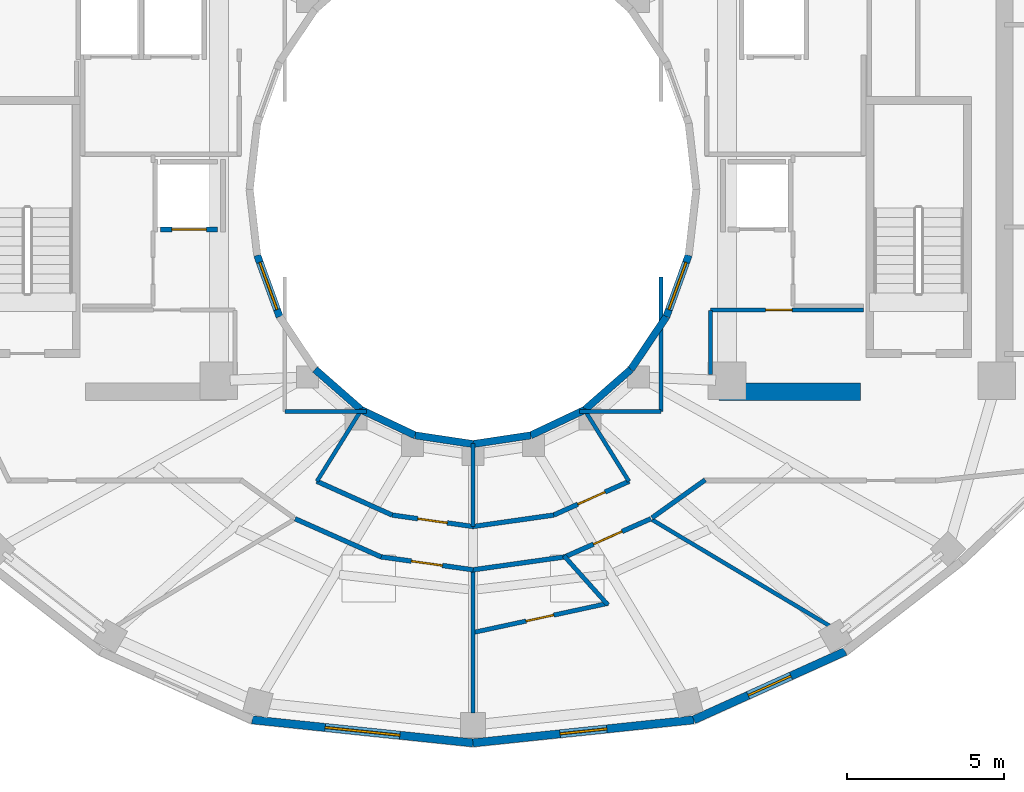
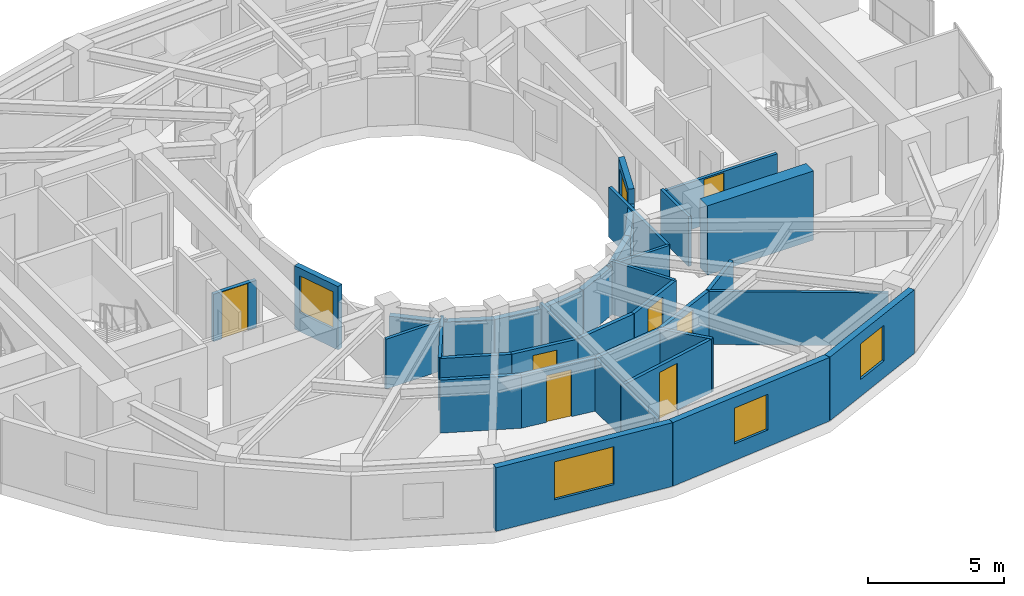
# One storey, part 6 of 12: 35 walls, 7 doors, 5 windows, 12 openings.
"""IFC4 building model written with IfcOpenShell, lengths in metres."""

from ifc_helpers import new_model, si_unit, direction, frame, frame_2d, origin, place, context, subcontext, project, spatial, rectangle, extrude, material, layer, layer_set, type_object, element, fill, save


model = new_model("IFC4")

# Units and contexts
model_context = context("Model", 3, precision=1e-05, world=origin(), true_north=direction((0.0, 1.0)))
body_context = subcontext(model_context, "Body", "Model", "MODEL_VIEW")
ifc_project = project(units=[si_unit("LENGTHUNIT", "METRE"), si_unit("AREAUNIT", "SQUARE_METRE"), si_unit("VOLUMEUNIT", "CUBIC_METRE"), si_unit("PLANEANGLEUNIT", "RADIAN"), si_unit("MASSUNIT", "GRAM", prefix="KILO")], contexts=[model_context])

# Site, building, storey
site_placement = place(None, origin())
site = spatial("IfcSite", under=ifc_project, at=site_placement, CompositionType="ELEMENT")
building_placement = place(site_placement, origin())
building = spatial("IfcBuilding", under=site, at=building_placement, Name="Solvane Sanctuary Tower", CompositionType="ELEMENT")
storey_placement = place(building_placement, frame((0.0, 0.0, 210.89990234375)))
storey = spatial("IfcBuildingStorey", under=building, at=storey_placement, Name="L64", CompositionType="ELEMENT", Elevation=210.89990234375)

# Walls
ifc_material_1 = material(Name="Concrete C50/60", Category="concrete")
ifc_layer_1 = layer(ifc_material_1, 0.550048828125, Name="Concrete C50/60")
ifc_layer_set_1 = layer_set([ifc_layer_1], Name="Concrete C50/60")
wall_type_1 = type_object("IfcWallType", Name="Wall W-CORE-550", PredefinedType="SHEAR", material=ifc_layer_set_1)
wall_1_placement = place(storey_placement, frame((39.85009765625, 16.550048828125, 0.0), z_axis=(0.0, 0.0, 1.0), x_axis=(1.0, 0.0, 0.0)))
element("IfcWall", 1, at=wall_1_placement, inside=storey, type_object=wall_type_1, Name="L64 Core Shear Wall EC-S", PredefinedType="SHEAR", context=body_context, shape_type="SweptSolid", body=[
    extrude(rectangle(XDim=4.5, YDim=0.550048828125, at=frame_2d((2.25, 0.0))), origin(), (0.0, 0.0, 1.0), 3.10009765625),
])
ifc_material_2 = material(Name="Acoustic Gypsum Partition Board")
ifc_layer_2 = layer(ifc_material_2, 0.14990234375, Name="Acoustic Gypsum Partition Board")
ifc_layer_set_2 = layer_set([ifc_layer_2], Name="Acoustic Gypsum Partition Board")
wall_type_2 = type_object("IfcWallType", Name="Wall W-CORR-150", PredefinedType="PARTITIONING", material=ifc_layer_set_2)
wall_2_placement = place(storey_placement, frame((27.01904296875, 13.694091796875, 0.0), z_axis=(0.0, 0.0, 1.0), x_axis=(0.912628408652, -0.408790151203, 0.0)))
element("IfcWall", 2, at=wall_2_placement, inside=storey, type_object=wall_type_2, Name="L64 South Light-Well Corridor Wall 1", PredefinedType="PARTITIONING", context=body_context, shape_type="SweptSolid", body=[
    extrude(rectangle(XDim=2.637939453125, YDim=0.14990234375, at=frame_2d((1.31884765625, 0.0))), origin(), (0.0, 0.0, 1.0), 2.3759765625),
])

# Wall, opening, door
wall_3_placement = place(storey_placement, frame((29.423095703125, 12.61669921875, 0.0), z_axis=(0.0, 0.0, 1.0), x_axis=(0.990078185178, -0.140517569133, 0.0)))
wall_3 = element("IfcWall", 3, at=wall_3_placement, inside=storey, type_object=wall_type_2, Name="L64 South Light-Well Corridor Wall 1", PredefinedType="PARTITIONING", context=body_context, shape_type="SweptSolid", body=[
    extrude(rectangle(XDim=2.609619140625, YDim=0.14990234375, at=frame_2d((1.3046875, 0.0))), origin(), (0.0, 0.0, 1.0), 2.3759765625),
])
opening_1_placement = place(wall_3_placement, frame((0.829833984375, 0.0, 0.0)))
opening_1 = element("IfcOpeningElement", 4, at=opening_1_placement, cuts=wall_3, Name="Opening D-L64-14", PredefinedType="OPENING", context=body_context, shape_type="SweptSolid", body=[
    extrude(rectangle(XDim=0.949951171875, YDim=2.10009765625, at=frame_2d((0.47509765625, 1.050048828125))), frame((0.0, 0.0849609375, 0.0), z_axis=(0.0, -1.0, 0.0), x_axis=(1.0, 0.0, 0.0)), (0.0, 0.0, 1.0), 0.169921875),
])
ifc_material_3 = material(Name="Engineered Tropical Hardwood", Category="wood")
door_type_1 = type_object("IfcDoorType", Name="Door D-ROOM-950", OperationType="NOTDEFINED", PredefinedType="DOOR", material=ifc_material_3)
door_1_placement = place(opening_1_placement, origin())
door_1 = element("IfcDoor", 5, at=door_1_placement, inside=storey, type_object=door_type_1, Name="L64 South Light-Well Alcove Door 1", OperationType="SINGLE_SWING_RIGHT", OverallHeight=2.10009765625, OverallWidth=0.949951171875, PredefinedType="DOOR", context=body_context, shape_type="SweptSolid", body=[
    extrude(rectangle(XDim=0.949951171875, YDim=2.10009765625, at=frame_2d((0.47509765625, 1.050048828125))), frame((0.0, 0.02490234375, 0.0), z_axis=(0.0, -1.0, 0.0), x_axis=(1.0, 0.0, 0.0)), (0.0, 0.0, 1.0), 0.050048828125),
])
fill(opening_1, door_1)

# Wall
wall_4_placement = place(storey_placement, frame((31.9931640625, 12.25, 0.0), z_axis=(0.0, 0.0, 1.0), x_axis=(0.990078185178, 0.140517569133, 0.0)))
element("IfcWall", 6, at=wall_4_placement, inside=storey, type_object=wall_type_2, Name="L64 South Light-Well Corridor Wall 2", PredefinedType="PARTITIONING", context=body_context, shape_type="SweptSolid", body=[
    extrude(rectangle(XDim=2.609619140625, YDim=0.14990234375, at=frame_2d((1.3046875, 0.0))), origin(), (0.0, 0.0, 1.0), 2.3759765625),
])

# Wall, opening, door
wall_5_placement = place(storey_placement, frame((34.573486328125, 12.61572265625, 0.0), z_axis=(0.0, 0.0, 1.0), x_axis=(0.912628408652, 0.408790151203, 0.0)))
wall_5 = element("IfcWall", 7, at=wall_5_placement, inside=storey, type_object=wall_type_2, Name="L64 South Light-Well Corridor Wall 2", PredefinedType="PARTITIONING", context=body_context, shape_type="SweptSolid", body=[
    extrude(rectangle(XDim=2.637939453125, YDim=0.14990234375, at=frame_2d((1.31884765625, 0.0))), origin(), (0.0, 0.0, 1.0), 2.3759765625),
])
opening_2_placement = place(wall_5_placement, frame((0.843994140625, 0.0, 0.0)))
opening_2 = element("IfcOpeningElement", 8, at=opening_2_placement, cuts=wall_5, Name="Opening D-L64-15", PredefinedType="OPENING", context=body_context, shape_type="SweptSolid", body=[
    extrude(rectangle(XDim=0.949951171875, YDim=2.10009765625, at=frame_2d((0.47509765625, 1.050048828125))), frame((0.0, 0.0849609375, 0.0), z_axis=(0.0, -1.0, 0.0), x_axis=(1.0, 0.0, 0.0)), (0.0, 0.0, 1.0), 0.169921875),
])
door_2_placement = place(opening_2_placement, origin())
door_2 = element("IfcDoor", 9, at=door_2_placement, inside=storey, type_object=door_type_1, Name="L64 South Light-Well Alcove Door 2", OperationType="SINGLE_SWING_LEFT", OverallHeight=2.10009765625, OverallWidth=0.949951171875, PredefinedType="DOOR", context=body_context, shape_type="SweptSolid", body=[
    extrude(rectangle(XDim=0.949951171875, YDim=2.10009765625, at=frame_2d((0.47509765625, 1.050048828125))), frame((0.0, 0.02490234375, 0.0), z_axis=(0.0, -1.0, 0.0), x_axis=(1.0, 0.0, 0.0)), (0.0, 0.0, 1.0), 0.050048828125),
])
fill(opening_2, door_2)

# Walls
wall_6_placement = place(storey_placement, frame((37.709716796875, 12.527099609375, 0.0), z_axis=(0.0, 0.0, 1.0), x_axis=(0.813780999276, 0.581171648669, 0.0)))
element("IfcWall", 10, at=wall_6_placement, inside=storey, type_object=wall_type_2, Name="L64 SE Corner Throat Wall", PredefinedType="PARTITIONING", context=body_context, shape_type="SweptSolid", body=[
    extrude(rectangle(XDim=2.082275390625, YDim=0.14990234375, at=frame_2d((1.041015625, 0.0))), origin(), (0.0, 0.0, 1.0), 2.3759765625),
])
wall_7_placement = place(storey_placement, frame((26.328125, 12.499267578125, 0.0), z_axis=(0.0, 0.0, 1.0), x_axis=(0.914139569865, -0.405399613724, 0.0)))
element("IfcWall", 11, at=wall_7_placement, inside=storey, type_object=wall_type_2, Name="L64 Unit Corridor Wall S1", PredefinedType="PARTITIONING", context=body_context, shape_type="SweptSolid", body=[
    extrude(rectangle(XDim=3.005126953125, YDim=0.14990234375, at=frame_2d((1.50244140625, 0.0))), origin(), (0.0, 0.0, 1.0), 2.3759765625),
])

# Wall, opening, door
wall_8_placement = place(storey_placement, frame((29.059814453125, 11.285400390625, 0.0), z_axis=(0.0, 0.0, 1.0), x_axis=(0.99022315503, -0.139492305317, 0.0)))
wall_8 = element("IfcWall", 12, at=wall_8_placement, inside=storey, type_object=wall_type_2, Name="L64 Unit Corridor Wall S1", PredefinedType="PARTITIONING", context=body_context, shape_type="SweptSolid", body=[
    extrude(rectangle(XDim=2.97705078125, YDim=0.14990234375, at=frame_2d((1.488525390625, 0.0))), origin(), (0.0, 0.0, 1.0), 2.3759765625),
])
opening_3_placement = place(wall_8_placement, frame((0.988525390625, 0.0, 0.0)))
opening_3 = element("IfcOpeningElement", 13, at=opening_3_placement, cuts=wall_8, Name="Opening D-L64-25", PredefinedType="OPENING", context=body_context, shape_type="SweptSolid", body=[
    extrude(rectangle(XDim=1.0, YDim=2.10009765625, at=frame_2d((0.5, 1.050048828125))), frame((0.0, 0.0849609375, 0.0), z_axis=(0.0, -1.0, 0.0), x_axis=(1.0, 0.0, 0.0)), (0.0, 0.0, 1.0), 0.169921875),
])
door_type_2 = type_object("IfcDoorType", Name="Door D-UNIT", OperationType="NOTDEFINED", PredefinedType="DOOR", material=ifc_material_3)
door_3_placement = place(opening_3_placement, origin())
door_3 = element("IfcDoor", 14, at=door_3_placement, inside=storey, type_object=door_type_2, Name="L64 Unit Entrance Door S1", OperationType="SINGLE_SWING_LEFT", OverallHeight=2.10009765625, OverallWidth=1.0, PredefinedType="DOOR", context=body_context, shape_type="SweptSolid", body=[
    extrude(rectangle(XDim=1.0, YDim=2.10009765625, at=frame_2d((0.5, 1.050048828125))), frame((0.0, 0.02490234375, 0.0), z_axis=(0.0, -1.0, 0.0), x_axis=(1.0, 0.0, 0.0)), (0.0, 0.0, 1.0), 0.050048828125),
])
fill(opening_3, door_3)

# Wall
wall_9_placement = place(storey_placement, frame((31.950439453125, 10.863037109375, 0.0), z_axis=(0.0, 0.0, 1.0), x_axis=(0.990214091671, 0.13955662885, 0.0)))
element("IfcWall", 15, at=wall_9_placement, inside=storey, type_object=wall_type_2, Name="L64 En-suite Inner Wall S2", PredefinedType="PARTITIONING", context=body_context, shape_type="SweptSolid", body=[
    extrude(rectangle(XDim=3.0615234375, YDim=0.14990234375, at=frame_2d((1.53076171875, 0.0))), origin(), (0.0, 0.0, 1.0), 2.3759765625),
])

# Wall, opening, door
wall_10_placement = place(storey_placement, frame((34.9248046875, 11.281005859375, 0.0), z_axis=(0.0, 0.0, 1.0), x_axis=(0.914139569865, 0.405399613724, 0.0)))
wall_10 = element("IfcWall", 16, at=wall_10_placement, inside=storey, type_object=wall_type_2, Name="L64 Unit Corridor Wall S2", PredefinedType="PARTITIONING", context=body_context, shape_type="SweptSolid", body=[
    extrude(rectangle(XDim=3.005126953125, YDim=0.14990234375, at=frame_2d((1.50244140625, 0.0))), origin(), (0.0, 0.0, 1.0), 2.3759765625),
])
opening_4_placement = place(wall_10_placement, frame((1.00244140625, 0.0, 0.0)))
opening_4 = element("IfcOpeningElement", 17, at=opening_4_placement, cuts=wall_10, Name="Opening D-L64-27", PredefinedType="OPENING", context=body_context, shape_type="SweptSolid", body=[
    extrude(rectangle(XDim=1.0, YDim=2.10009765625, at=frame_2d((0.5, 1.050048828125))), frame((0.0, 0.0849609375, 0.0), z_axis=(0.0, -1.0, 0.0), x_axis=(1.0, 0.0, 0.0)), (0.0, 0.0, 1.0), 0.169921875),
])
door_4_placement = place(opening_4_placement, origin())
door_4 = element("IfcDoor", 18, at=door_4_placement, inside=storey, type_object=door_type_2, Name="L64 Unit Entrance Door S2", OperationType="SINGLE_SWING_LEFT", OverallHeight=2.10009765625, OverallWidth=1.0, PredefinedType="DOOR", context=body_context, shape_type="SweptSolid", body=[
    extrude(rectangle(XDim=1.0, YDim=2.10009765625, at=frame_2d((0.5, 1.050048828125))), frame((0.0, 0.02490234375, 0.0), z_axis=(0.0, -1.0, 0.0), x_axis=(1.0, 0.0, 0.0)), (0.0, 0.0, 1.0), 0.050048828125),
])
fill(opening_4, door_4)

# Wall, opening, window
ifc_material_4 = material(Name="Precast concrete C40/50", Category="concrete")
ifc_layer_3 = layer(ifc_material_4, 0.260009765625, Name="Precast concrete C40/50")
ifc_layer_set_3 = layer_set([ifc_layer_3], Name="Precast concrete C40/50")
wall_type_3 = type_object("IfcWallType", Name="Wall W-EXT-250", PredefinedType="STANDARD", material=ifc_layer_set_3)
wall_11_placement = place(storey_placement, frame((24.95703125, 6.088134765625, 0.0), z_axis=(0.0, 0.0, 1.0), x_axis=(0.994582822721, -0.103947144014, 0.0)))
wall_11 = element("IfcWall", 19, at=wall_11_placement, inside=storey, type_object=wall_type_3, Name="L64 Ceramic-Printed Facade Wall 17", PredefinedType="STANDARD", context=body_context, shape_type="SweptSolid", body=[
    extrude(rectangle(XDim=7.081298828125, YDim=0.260009765625, at=frame_2d((3.54052734375, 0.0))), origin(), (0.0, 0.0, 1.0), 2.85009765625),
])
opening_5_placement = place(wall_11_placement, frame((2.3408203125, 0.0, 0.75)))
opening_5 = element("IfcOpeningElement", 20, at=opening_5_placement, cuts=wall_11, Name="Opening WN-RIB-2400", PredefinedType="OPENING", context=body_context, shape_type="SweptSolid", body=[
    extrude(rectangle(XDim=2.39990234375, YDim=1.699951171875, at=frame_2d((1.199951171875, 0.85009765625))), frame((0.0, 0.139892578125, 0.0), z_axis=(0.0, -1.0, 0.0), x_axis=(1.0, 0.0, 0.0)), (0.0, 0.0, 1.0), 0.280029296875),
])
ifc_material_5 = material(Name="Dark Ceramic-Fritted Low-E Glass", Category="glass")
window_type_1 = type_object("IfcWindowType", Name="Window WN-RIB-2400", PartitioningType="SINGLE_PANEL", PredefinedType="WINDOW", material=ifc_material_5)
window_1_placement = place(opening_5_placement, origin())
window_1 = element("IfcWindow", 21, at=window_1_placement, inside=storey, type_object=window_type_1, Name="L64 Operable Facade Window 17", OverallHeight=1.699951171875, OverallWidth=2.39990234375, PartitioningType="SINGLE_PANEL", PredefinedType="WINDOW", context=body_context, shape_type="SweptSolid", body=[
    extrude(rectangle(XDim=2.39990234375, YDim=1.699951171875, at=frame_2d((1.199951171875, 0.85009765625))), frame((0.0, 0.030029296875, 0.0), z_axis=(0.0, -1.0, 0.0), x_axis=(1.0, 0.0, 0.0)), (0.0, 0.0, 1.0), 0.06005859375),
])
fill(opening_5, window_1)

wall_12_placement = place(storey_placement, frame((32.0, 5.35205078125, 0.0), z_axis=(0.0, 0.0, 1.0), x_axis=(0.994582822721, 0.103947144014, 0.0)))
wall_12 = element("IfcWall", 22, at=wall_12_placement, inside=storey, type_object=wall_type_3, Name="L64 Ceramic-Printed Facade Wall 18", PredefinedType="STANDARD", context=body_context, shape_type="SweptSolid", body=[
    extrude(rectangle(XDim=7.081298828125, YDim=0.260009765625, at=frame_2d((3.54052734375, 0.0))), origin(), (0.0, 0.0, 1.0), 2.85009765625),
])
opening_6_placement = place(wall_12_placement, frame((2.790771484375, 0.0, 0.75)))
opening_6 = element("IfcOpeningElement", 23, at=opening_6_placement, cuts=wall_12, Name="Opening WN-OPER-1500", PredefinedType="OPENING", context=body_context, shape_type="SweptSolid", body=[
    extrude(rectangle(XDim=1.5, YDim=1.60009765625, at=frame_2d((0.75, 0.800048828125))), frame((0.0, 0.139892578125, 0.0), z_axis=(0.0, -1.0, 0.0), x_axis=(1.0, 0.0, 0.0)), (0.0, 0.0, 1.0), 0.280029296875),
])
window_type_2 = type_object("IfcWindowType", Name="Window WN-OPER-1500", PartitioningType="SINGLE_PANEL", PredefinedType="WINDOW", material=ifc_material_5)
window_2_placement = place(opening_6_placement, origin())
window_2 = element("IfcWindow", 24, at=window_2_placement, inside=storey, type_object=window_type_2, Name="L64 Operable Facade Window 18", OverallHeight=1.60009765625, OverallWidth=1.5, PartitioningType="SINGLE_PANEL", PredefinedType="WINDOW", context=body_context, shape_type="SweptSolid", body=[
    extrude(rectangle(XDim=1.5, YDim=1.60009765625, at=frame_2d((0.75, 0.800048828125))), frame((0.0, 0.030029296875, 0.0), z_axis=(0.0, -1.0, 0.0), x_axis=(1.0, 0.0, 0.0)), (0.0, 0.0, 1.0), 0.06005859375),
])
fill(opening_6, window_2)

wall_13_placement = place(storey_placement, frame((39.04296875, 6.088134765625, 0.0), z_axis=(0.0, 0.0, 1.0), x_axis=(0.911427484938, 0.411460738952, 0.0)))
wall_13 = element("IfcWall", 25, at=wall_13_placement, inside=storey, type_object=wall_type_3, Name="L64 Ceramic-Printed Facade Wall 19", PredefinedType="STANDARD", context=body_context, shape_type="SweptSolid", body=[
    extrude(rectangle(XDim=5.296142578125, YDim=0.260009765625, at=frame_2d((2.64794921875, 0.0))), origin(), (0.0, 0.0, 1.0), 2.85009765625),
])
opening_7_placement = place(wall_13_placement, frame((1.898193359375, 0.0, 0.75)))
opening_7 = element("IfcOpeningElement", 26, at=opening_7_placement, cuts=wall_13, Name="Opening WN-OPER-1500", PredefinedType="OPENING", context=body_context, shape_type="SweptSolid", body=[
    extrude(rectangle(XDim=1.5, YDim=1.60009765625, at=frame_2d((0.75, 0.800048828125))), frame((0.0, 0.139892578125, 0.0), z_axis=(0.0, -1.0, 0.0), x_axis=(1.0, 0.0, 0.0)), (0.0, 0.0, 1.0), 0.280029296875),
])
window_3_placement = place(opening_7_placement, origin())
window_3 = element("IfcWindow", 27, at=window_3_placement, inside=storey, type_object=window_type_2, Name="L64 Operable Facade Window 19", OverallHeight=1.60009765625, OverallWidth=1.5, PartitioningType="SINGLE_PANEL", PredefinedType="WINDOW", context=body_context, shape_type="SweptSolid", body=[
    extrude(rectangle(XDim=1.5, YDim=1.60009765625, at=frame_2d((0.75, 0.800048828125))), frame((0.0, 0.030029296875, 0.0), z_axis=(0.0, -1.0, 0.0), x_axis=(1.0, 0.0, 0.0)), (0.0, 0.0, 1.0), 0.06005859375),
])
fill(opening_7, window_3)

ifc_layer_4 = layer(ifc_material_4, 0.22998046875, Name="Precast concrete C40/50")
ifc_layer_set_4 = layer_set([ifc_layer_4], Name="Precast concrete C40/50")
wall_type_4 = type_object("IfcWallType", Name="Wall W-EXT-SP220", PredefinedType="STANDARD", material=ifc_layer_set_4)
wall_14_placement = place(storey_placement, frame((25.12255859375, 20.8984375, 0.0), z_axis=(0.0, 0.0, 1.0), x_axis=(0.341423187295, -0.93990968033, 0.0)))
wall_14 = element("IfcWall", 28, at=wall_14_placement, inside=storey, type_object=wall_type_4, Name="L64 Central Light-Well Wall 13", PredefinedType="STANDARD", context=body_context, shape_type="SweptSolid", body=[
    extrude(rectangle(XDim=2.083740234375, YDim=0.22998046875, at=frame_2d((1.0419921875, 0.0))), origin(), (0.0, 0.0, 1.0), 2.840087890625),
])
opening_8_placement = place(wall_14_placement, frame((0.24169921875, 0.0, 0.85009765625)))
opening_8 = element("IfcOpeningElement", 29, at=opening_8_placement, cuts=wall_14, Name="Opening WN-WELL-1600", PredefinedType="OPENING", context=body_context, shape_type="SweptSolid", body=[
    extrude(rectangle(XDim=1.60009765625, YDim=1.64990234375, at=frame_2d((0.800048828125, 0.824951171875))), frame((0.0, 0.125, 0.0), z_axis=(0.0, -1.0, 0.0), x_axis=(1.0, 0.0, 0.0)), (0.0, 0.0, 1.0), 0.25),
])
ifc_material_6 = material(Name="Clear Laminated Light-Well Glass", Category="glass")
window_type_3 = type_object("IfcWindowType", Name="Window WN-WELL-1600", PartitioningType="SINGLE_PANEL", PredefinedType="WINDOW", material=ifc_material_6)
window_4_placement = place(opening_8_placement, origin())
window_4 = element("IfcWindow", 30, at=window_4_placement, inside=storey, type_object=window_type_3, Name="L64 Light-Well Daylight Window 13", OverallHeight=1.64990234375, OverallWidth=1.60009765625, PartitioningType="SINGLE_PANEL", PredefinedType="WINDOW", context=body_context, shape_type="SweptSolid", body=[
    extrude(rectangle(XDim=1.60009765625, YDim=1.64990234375, at=frame_2d((0.800048828125, 0.824951171875))), frame((0.0, 0.030029296875, 0.0), z_axis=(0.0, -1.0, 0.0), x_axis=(1.0, 0.0, 0.0)), (0.0, 0.0, 1.0), 0.06005859375),
])
fill(opening_8, window_4)

# Walls
wall_15_placement = place(storey_placement, frame((26.96533203125, 17.25830078125, 0.0), z_axis=(0.0, 0.0, 1.0), x_axis=(0.752576694707, -0.658504607869, 0.0)))
element("IfcWall", 31, at=wall_15_placement, inside=storey, type_object=wall_type_4, Name="L64 Central Light-Well Wall 15", PredefinedType="STANDARD", context=body_context, shape_type="SweptSolid", body=[
    extrude(rectangle(XDim=1.95947265625, YDim=0.22998046875, at=frame_2d((0.979736328125, 0.0))), origin(), (0.0, 0.0, 1.0), 2.16015625),
])
wall_16_placement = place(storey_placement, frame((28.43994140625, 15.968017578125, 0.0), z_axis=(0.0, 0.0, 1.0), x_axis=(0.904179699603, -0.427152280606, 0.0)))
element("IfcWall", 32, at=wall_16_placement, inside=storey, type_object=wall_type_4, Name="L64 Central Light-Well Wall 16", PredefinedType="STANDARD", context=body_context, shape_type="SweptSolid", body=[
    extrude(rectangle(XDim=1.899169921875, YDim=0.22998046875, at=frame_2d((0.94970703125, 0.0))), origin(), (0.0, 0.0, 1.0), 2.16015625),
])
for number, where, z_axis, x_axis, name in (
    (33, (30.1572265625, 15.15673828125, 0.0), (0.0, 0.0, 1.0), (0.988901730308, -0.148571086668, 0.0), "L64 Central Light-Well Wall 17"),
    (34, (32.0, 14.8798828125, 0.0), (0.0, 0.0, 1.0), (0.988901730308, 0.148571086668, 0.0), "L64 Central Light-Well Wall 18"),
):
    element("IfcWall", number, at=place(storey_placement, frame(where, z_axis=z_axis, x_axis=x_axis)), inside=storey, type_object=wall_type_4, Name=name, PredefinedType="STANDARD", context=body_context, shape_type="SweptSolid", body=[
        extrude(rectangle(XDim=1.863525390625, YDim=0.22998046875, at=frame_2d((0.931640625, 0.0))), origin(), (0.0, 0.0, 1.0), 2.16015625),
    ])
wall_17_placement = place(storey_placement, frame((33.8427734375, 15.15673828125, 0.0), z_axis=(0.0, 0.0, 1.0), x_axis=(0.904179699603, 0.427152280606, 0.0)))
element("IfcWall", 35, at=wall_17_placement, inside=storey, type_object=wall_type_4, Name="L64 Central Light-Well Wall 19", PredefinedType="STANDARD", context=body_context, shape_type="SweptSolid", body=[
    extrude(rectangle(XDim=1.899169921875, YDim=0.22998046875, at=frame_2d((0.94970703125, 0.0))), origin(), (0.0, 0.0, 1.0), 2.16015625),
])
wall_18_placement = place(storey_placement, frame((35.56005859375, 15.968017578125, 0.0), z_axis=(0.0, 0.0, 1.0), x_axis=(0.752576694707, 0.658504607869, 0.0)))
element("IfcWall", 36, at=wall_18_placement, inside=storey, type_object=wall_type_4, Name="L64 Central Light-Well Wall 20", PredefinedType="STANDARD", context=body_context, shape_type="SweptSolid", body=[
    extrude(rectangle(XDim=1.95947265625, YDim=0.22998046875, at=frame_2d((0.979736328125, 0.0))), origin(), (0.0, 0.0, 1.0), 2.16015625),
])
wall_19_placement = place(storey_placement, frame((37.03466796875, 17.25830078125, 0.0), z_axis=(0.0, 0.0, 1.0), x_axis=(0.558197800898, 0.829707909492, 0.0)))
element("IfcWall", 37, at=wall_19_placement, inside=storey, type_object=wall_type_4, Name="L64 Central Light-Well Wall 21", PredefinedType="STANDARD", context=body_context, shape_type="SweptSolid", body=[
    extrude(rectangle(XDim=2.02685546875, YDim=0.22998046875, at=frame_2d((1.013427734375, 0.0))), origin(), (0.0, 0.0, 1.0), 2.16015625),
])

# Wall, opening, window
wall_20_placement = place(storey_placement, frame((38.166015625, 18.93994140625, 0.0), z_axis=(0.0, 0.0, 1.0), x_axis=(0.341423187295, 0.93990968033, 0.0)))
wall_20 = element("IfcWall", 38, at=wall_20_placement, inside=storey, type_object=wall_type_4, Name="L64 Central Light-Well Wall 22", PredefinedType="STANDARD", context=body_context, shape_type="SweptSolid", body=[
    extrude(rectangle(XDim=2.083740234375, YDim=0.22998046875, at=frame_2d((1.0419921875, 0.0))), origin(), (0.0, 0.0, 1.0), 2.840087890625),
])
opening_9_placement = place(wall_20_placement, frame((0.24169921875, 0.0, 0.85009765625)))
opening_9 = element("IfcOpeningElement", 39, at=opening_9_placement, cuts=wall_20, Name="Opening WN-WELL-1600", PredefinedType="OPENING", context=body_context, shape_type="SweptSolid", body=[
    extrude(rectangle(XDim=1.60009765625, YDim=1.64990234375, at=frame_2d((0.800048828125, 0.824951171875))), frame((0.0, 0.125, 0.0), z_axis=(0.0, -1.0, 0.0), x_axis=(1.0, 0.0, 0.0)), (0.0, 0.0, 1.0), 0.25),
])
window_5_placement = place(opening_9_placement, origin())
window_5 = element("IfcWindow", 40, at=window_5_placement, inside=storey, type_object=window_type_3, Name="L64 Light-Well Daylight Window 22", OverallHeight=1.64990234375, OverallWidth=1.60009765625, PartitioningType="SINGLE_PANEL", PredefinedType="WINDOW", context=body_context, shape_type="SweptSolid", body=[
    extrude(rectangle(XDim=1.60009765625, YDim=1.64990234375, at=frame_2d((0.800048828125, 0.824951171875))), frame((0.0, 0.030029296875, 0.0), z_axis=(0.0, -1.0, 0.0), x_axis=(1.0, 0.0, 0.0)), (0.0, 0.0, 1.0), 0.06005859375),
])
fill(opening_9, window_5)

# Wall, opening, door
ifc_layer_5 = layer(ifc_material_2, 0.125, Name="Acoustic Gypsum Partition Board")
ifc_layer_set_5 = layer_set([ifc_layer_5], Name="Acoustic Gypsum Partition Board")
wall_type_5 = type_object("IfcWallType", Name="Wall W-PART-125", PredefinedType="PARTITIONING", material=ifc_layer_set_5)
wall_21_placement = place(storey_placement, frame((39.580078125, 19.159912109375, 0.0), z_axis=(0.0, 0.0, 1.0), x_axis=(1.0, 0.0, 0.0)))
wall_21 = element("IfcWall", 41, at=wall_21_placement, inside=storey, type_object=wall_type_5, Name="L64 Reclaimed Room Partition PLE", PredefinedType="PARTITIONING", context=body_context, shape_type="SweptSolid", body=[
    extrude(rectangle(XDim=4.869873046875, YDim=0.125, at=frame_2d((2.43505859375, 0.0))), origin(), (0.0, 0.0, 1.0), 2.1201171875),
])
opening_10_placement = place(wall_21_placement, frame((1.748291015625, 0.0, 0.0)))
opening_10 = element("IfcOpeningElement", 42, at=opening_10_placement, cuts=wall_21, Name="Opening D-L64-07", PredefinedType="OPENING", context=body_context, shape_type="SweptSolid", body=[
    extrude(rectangle(XDim=0.85009765625, YDim=2.050048828125, at=frame_2d((0.425048828125, 1.02490234375))), frame((0.0, 0.072509765625, 0.0), z_axis=(0.0, -1.0, 0.0), x_axis=(1.0, 0.0, 0.0)), (0.0, 0.0, 1.0), 0.14501953125),
])
ifc_material_7 = material(Name="Architectural Stainless Steel 316", Category="steel")
door_type_3 = type_object("IfcDoorType", Name="Door D-RISER", OperationType="NOTDEFINED", PredefinedType="DOOR", material=ifc_material_7)
door_5_placement = place(opening_10_placement, origin())
door_5 = element("IfcDoor", 43, at=door_5_placement, inside=storey, type_object=door_type_3, Name="L64 Reclaimed Room Door PLE-1", OperationType="SINGLE_SWING_LEFT", OverallHeight=2.050048828125, OverallWidth=0.85009765625, PredefinedType="DOOR", context=body_context, shape_type="SweptSolid", body=[
    extrude(rectangle(XDim=0.85009765625, YDim=2.050048828125, at=frame_2d((0.425048828125, 1.02490234375))), frame((0.0, 0.02490234375, 0.0), z_axis=(0.0, -1.0, 0.0), x_axis=(1.0, 0.0, 0.0)), (0.0, 0.0, 1.0), 0.050048828125),
])
fill(opening_10, door_5)

# Walls
wall_22_placement = place(storey_placement, frame((39.580078125, 17.10009765625, 0.0), z_axis=(0.0, 0.0, 1.0), x_axis=(0.0, 1.0, 0.0)))
element("IfcWall", 44, at=wall_22_placement, inside=storey, type_object=wall_type_5, Name="L64 Reclaimed Room Closer Wall PLE-1", PredefinedType="PARTITIONING", context=body_context, shape_type="SweptSolid", body=[
    extrude(rectangle(XDim=2.039794921875, YDim=0.125, at=frame_2d((1.02001953125, 0.0))), origin(), (0.0, 0.0, 1.0), 2.232177734375),
])
wall_23_placement = place(storey_placement, frame((28.449951171875, 15.985107421875, 0.0), z_axis=(0.0, 0.0, 1.0), x_axis=(-0.527527080983, -0.849538215049, 0.0)))
element("IfcWall", 45, at=wall_23_placement, inside=storey, type_object=wall_type_5, Name="L64 South Light-Well Radial Wall 240", PredefinedType="PARTITIONING", context=body_context, shape_type="SweptSolid", body=[
    extrude(rectangle(XDim=2.701416015625, YDim=0.125, at=frame_2d((1.3505859375, 0.0))), origin(), (0.0, 0.0, 1.0), 2.3759765625),
])
wall_24_placement = place(storey_placement, frame((32.0, 14.89990234375, 0.0), z_axis=(0.0, 0.0, 1.0), x_axis=(0.0, -1.0, 0.0)))
element("IfcWall", 46, at=wall_24_placement, inside=storey, type_object=wall_type_5, Name="L64 South Light-Well Radial Wall 270", PredefinedType="PARTITIONING", context=body_context, shape_type="SweptSolid", body=[
    extrude(rectangle(XDim=2.64990234375, YDim=0.125, at=frame_2d((1.324951171875, 0.0))), origin(), (0.0, 0.0, 1.0), 2.3759765625),
])
wall_25_placement = place(storey_placement, frame((35.550048828125, 15.985107421875, 0.0), z_axis=(0.0, 0.0, 1.0), x_axis=(0.527527080983, -0.849538215049, 0.0)))
element("IfcWall", 47, at=wall_25_placement, inside=storey, type_object=wall_type_5, Name="L64 South Light-Well Radial Wall 300", PredefinedType="PARTITIONING", context=body_context, shape_type="SweptSolid", body=[
    extrude(rectangle(XDim=2.701416015625, YDim=0.125, at=frame_2d((1.3505859375, 0.0))), origin(), (0.0, 0.0, 1.0), 2.3759765625),
])
wall_26_placement = place(storey_placement, frame((26.0, 15.919921875, 0.0), z_axis=(0.0, 0.0, 1.0), x_axis=(1.0, 0.0, 0.0)))
element("IfcWall", 48, at=wall_26_placement, inside=storey, type_object=wall_type_5, Name="L64 Bridge Alcove Wall 6", PredefinedType="PARTITIONING", context=body_context, shape_type="SweptSolid", body=[
    extrude(rectangle(XDim=2.60009765625, YDim=0.125, at=frame_2d((1.300048828125, 0.0))), origin(), (0.0, 0.0, 1.0), 2.232177734375),
])
wall_27_placement = place(storey_placement, frame((38.0, 15.919921875, 0.0), z_axis=(0.0, 0.0, 1.0), x_axis=(0.0, 1.0, 0.0)))
element("IfcWall", 49, at=wall_27_placement, inside=storey, type_object=wall_type_5, Name="L64 Bridge Alcove Wall 7", PredefinedType="PARTITIONING", context=body_context, shape_type="SweptSolid", body=[
    extrude(rectangle(XDim=4.280029296875, YDim=0.125, at=frame_2d((2.14013671875, 0.0))), origin(), (0.0, 0.0, 1.0), 2.232177734375),
])
wall_28_placement = place(storey_placement, frame((35.39990234375, 15.919921875, 0.0), z_axis=(0.0, 0.0, 1.0), x_axis=(1.0, 0.0, 0.0)))
element("IfcWall", 50, at=wall_28_placement, inside=storey, type_object=wall_type_5, Name="L64 Bridge Alcove Wall 8", PredefinedType="PARTITIONING", context=body_context, shape_type="SweptSolid", body=[
    extrude(rectangle(XDim=2.60009765625, YDim=0.125, at=frame_2d((1.300048828125, 0.0))), origin(), (0.0, 0.0, 1.0), 2.232177734375),
])
wall_29_placement = place(storey_placement, frame((32.0, 10.81494140625, 0.0), z_axis=(0.0, 0.0, 1.0), x_axis=(0.0, -1.0, 0.0)))
element("IfcWall", 51, at=wall_29_placement, inside=storey, type_object=wall_type_5, Name="L64 Radial Compartment Wall 270", PredefinedType="PARTITIONING", context=body_context, shape_type="SweptSolid", body=[
    extrude(rectangle(XDim=4.514892578125, YDim=0.125, at=frame_2d((2.25732421875, 0.0))), origin(), (0.0, 0.0, 1.0), 2.3759765625),
])
wall_30_placement = place(storey_placement, frame((37.712158203125, 12.466796875, 0.0), z_axis=(0.0, 0.0, 1.0), x_axis=(0.858332411245, -0.513094018487, 0.0)))
element("IfcWall", 52, at=wall_30_placement, inside=storey, type_object=wall_type_5, Name="L64 Radial Compartment Wall 300", PredefinedType="PARTITIONING", context=body_context, shape_type="SweptSolid", body=[
    extrude(rectangle(XDim=6.5859375, YDim=0.125, at=frame_2d((3.29296875, 0.0))), origin(), (0.0, 0.0, 1.0), 2.3759765625),
])

# Wall, opening, door
ifc_layer_6 = layer(ifc_material_1, 0.14990234375, Name="Concrete C50/60")
ifc_layer_set_6 = layer_set([ifc_layer_6], Name="Concrete C50/60")
wall_type_6 = type_object("IfcWallType", Name="Wall W-SHAFT-150", PredefinedType="SOLIDWALL", material=ifc_layer_set_6)
wall_31_placement = place(storey_placement, frame((22.0400390625, 21.719970703125, 0.0), z_axis=(0.0, 0.0, 1.0), x_axis=(1.0, 0.0, 0.0)))
wall_31 = element("IfcWall", 53, at=wall_31_placement, inside=storey, type_object=wall_type_6, Name="L64 PH-1 Lift Shaft Wall F", PredefinedType="SOLIDWALL", context=body_context, shape_type="SweptSolid", body=[
    extrude(rectangle(XDim=1.820068359375, YDim=0.14990234375, at=frame_2d((0.91015625, 0.0))), origin(), (0.0, 0.0, 1.0), 2.1201171875),
])
opening_11_placement = place(wall_31_placement, frame((0.360107421875, 0.0, 0.0)))
opening_11 = element("IfcOpeningElement", 54, at=opening_11_placement, cuts=wall_31, Name="Opening LD-L64-01", PredefinedType="OPENING", context=body_context, shape_type="SweptSolid", body=[
    extrude(rectangle(XDim=1.10009765625, YDim=2.10009765625, at=frame_2d((0.550048828125, 1.050048828125))), frame((0.0, 0.0849609375, 0.0), z_axis=(0.0, -1.0, 0.0), x_axis=(1.0, 0.0, 0.0)), (0.0, 0.0, 1.0), 0.169921875),
])
door_type_4 = type_object("IfcDoorType", Name="Door LD-PASS-1100", OperationType="NOTDEFINED", PredefinedType="DOOR", material=ifc_material_7)
door_6_placement = place(opening_11_placement, origin())
door_6 = element("IfcDoor", 55, at=door_6_placement, inside=storey, type_object=door_type_4, Name="L64 PH-1 Lift Landing Door", OperationType="DOUBLE_DOOR_SLIDING", OverallHeight=2.10009765625, OverallWidth=1.10009765625, PredefinedType="DOOR", context=body_context, shape_type="SweptSolid", body=[
    extrude(rectangle(XDim=1.10009765625, YDim=2.10009765625, at=frame_2d((0.550048828125, 1.050048828125))), frame((0.0, 0.02490234375, 0.0), z_axis=(0.0, -1.0, 0.0), x_axis=(1.0, 0.0, 0.0)), (0.0, 0.0, 1.0), 0.050048828125),
])
fill(opening_11, door_6)

# Wall
ifc_layer_7 = layer(ifc_material_2, 0.139892578125, Name="Acoustic Gypsum Partition Board")
ifc_layer_set_7 = layer_set([ifc_layer_7], Name="Acoustic Gypsum Partition Board")
wall_type_7 = type_object("IfcWallType", Name="Wall W-WET-140", PredefinedType="PLUMBINGWALL", material=ifc_layer_set_7)
wall_32_placement = place(storey_placement, frame((34.899169921875, 11.320556640625, 0.0), z_axis=(0.0, 0.0, 1.0), x_axis=(0.66647537222, -0.745527047279, 0.0)))
element("IfcWall", 56, at=wall_32_placement, inside=storey, type_object=wall_type_7, Name="L64 En-suite Side Partition S2", PredefinedType="PLUMBINGWALL", context=body_context, shape_type="SweptSolid", body=[
    extrude(rectangle(XDim=2.10009765625, YDim=0.139892578125, at=frame_2d((1.050048828125, 0.0))), origin(), (0.0, 0.0, 1.0), 2.385009765625),
])

# Wall, opening, door
wall_33_placement = place(storey_placement, frame((31.951171875, 8.859375, 0.0), z_axis=(0.0, 0.0, 1.0), x_axis=(0.977405310504, 0.211373742452, 0.0)))
wall_33 = element("IfcWall", 57, at=wall_33_placement, inside=storey, type_object=wall_type_7, Name="L64 En-suite Bedroom Wall S2", PredefinedType="PLUMBINGWALL", context=body_context, shape_type="SweptSolid", body=[
    extrude(rectangle(XDim=4.464111328125, YDim=0.139892578125, at=frame_2d((2.23193359375, 0.0))), origin(), (0.0, 0.0, 1.0), 2.3759765625),
])
opening_12_placement = place(wall_33_placement, frame((1.781982421875, 0.0, 0.0)))
opening_12 = element("IfcOpeningElement", 58, at=opening_12_placement, cuts=wall_33, Name="Opening D-L64-26", PredefinedType="OPENING", context=body_context, shape_type="SweptSolid", body=[
    extrude(rectangle(XDim=0.89990234375, YDim=2.10009765625, at=frame_2d((0.449951171875, 1.050048828125))), frame((0.0, 0.079833984375, 0.0), z_axis=(0.0, -1.0, 0.0), x_axis=(1.0, 0.0, 0.0)), (0.0, 0.0, 1.0), 0.159912109375),
])
door_type_5 = type_object("IfcDoorType", Name="Door D-WET-900", OperationType="NOTDEFINED", PredefinedType="DOOR", material=ifc_material_3)
door_7_placement = place(opening_12_placement, origin())
door_7 = element("IfcDoor", 59, at=door_7_placement, inside=storey, type_object=door_type_5, Name="L64 En-suite Bathroom Door S2", OperationType="SINGLE_SWING_RIGHT", OverallHeight=2.10009765625, OverallWidth=0.89990234375, PredefinedType="DOOR", context=body_context, shape_type="SweptSolid", body=[
    extrude(rectangle(XDim=0.89990234375, YDim=2.10009765625, at=frame_2d((0.449951171875, 1.050048828125))), frame((0.0, 0.02490234375, 0.0), z_axis=(0.0, -1.0, 0.0), x_axis=(1.0, 0.0, 0.0)), (0.0, 0.0, 1.0), 0.050048828125),
])
fill(opening_12, door_7)

save(model, "model.ifc")
